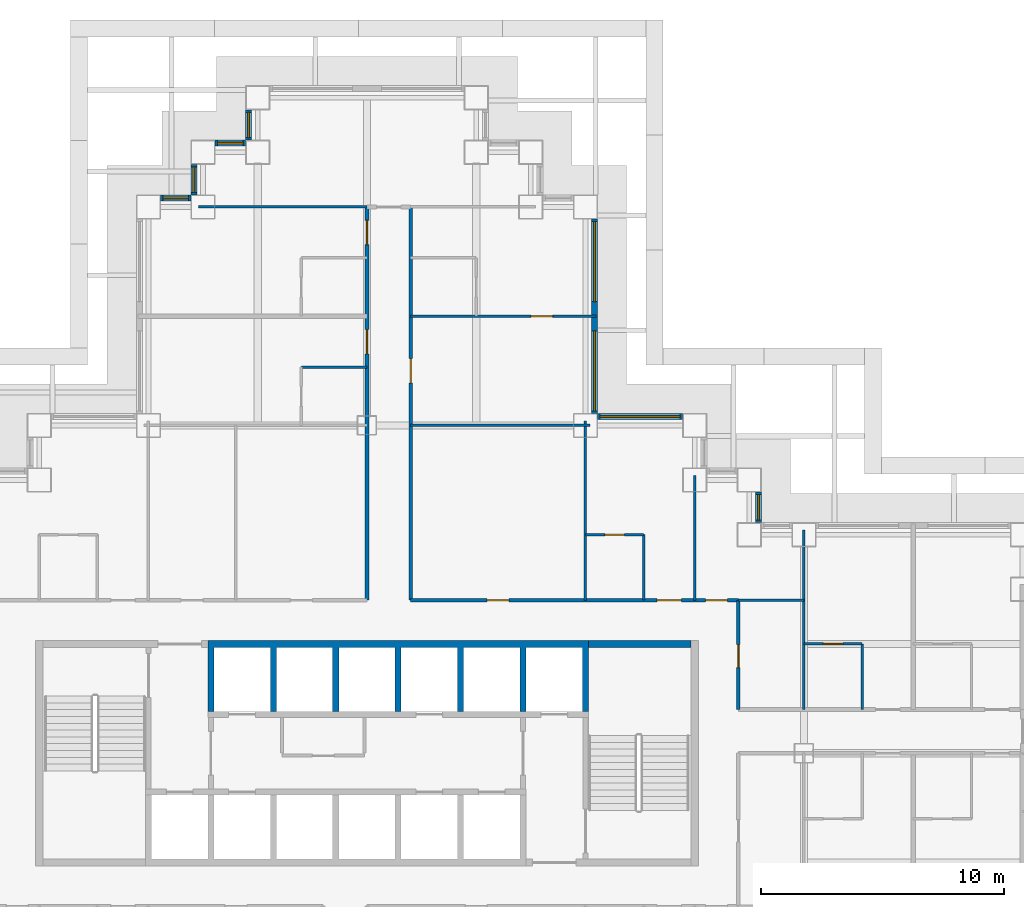
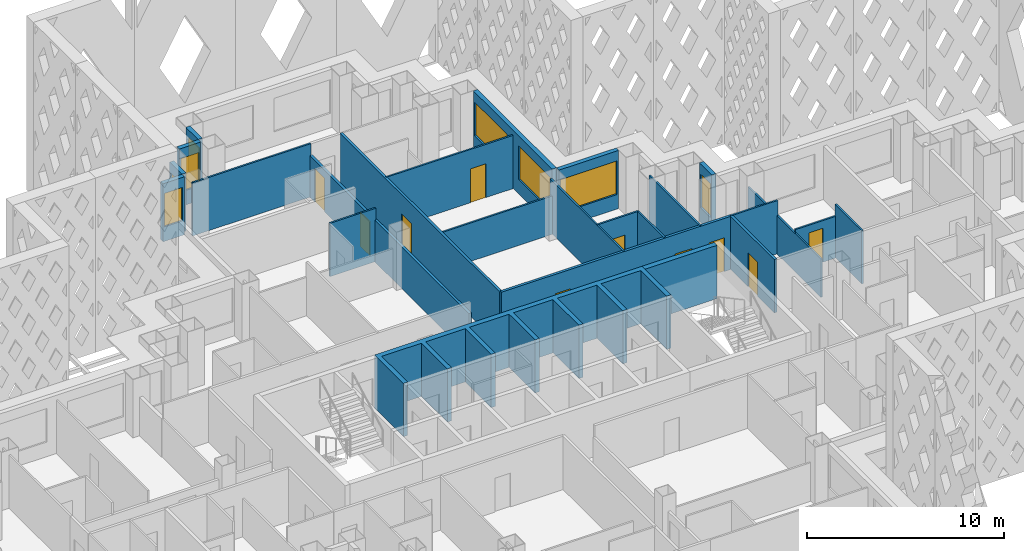
# One storey, part 8 of 19: 25 walls, 10 doors, 8 windows, 18 openings.
"""IFC4 building model written with IfcOpenShell, lengths in metres."""

from ifc_helpers import new_model, si_unit, direction, frame, frame_2d, origin, place, context, subcontext, project, spatial, polyline, rectangle, outline, extrude, material, layer, layer_set, type_object, element, fill, save


model = new_model("IFC4")

# Units and contexts
model_context = context("Model", 3, precision=1e-05, world=origin(), true_north=direction((0.0, 1.0)))
body_context = subcontext(model_context, "Body", "Model", "MODEL_VIEW")
ifc_project = project(units=[si_unit("LENGTHUNIT", "METRE"), si_unit("AREAUNIT", "SQUARE_METRE"), si_unit("VOLUMEUNIT", "CUBIC_METRE"), si_unit("PLANEANGLEUNIT", "RADIAN"), si_unit("MASSUNIT", "GRAM", prefix="KILO")], contexts=[model_context])

# Site, building, storey
site_placement = place(None, origin())
site = spatial("IfcSite", under=ifc_project, at=site_placement, CompositionType="ELEMENT")
building_placement = place(site_placement, origin())
building = spatial("IfcBuilding", under=site, at=building_placement, Name="Caravel Reach Hotel and Residences", CompositionType="ELEMENT")
storey_placement = place(building_placement, frame((0.0, 0.0, 74.39990234375)))
storey = spatial("IfcBuildingStorey", under=building, at=storey_placement, Name="L17", CompositionType="ELEMENT", Elevation=74.39990234375)

# Wall, opening, door
ifc_material_1 = material(Name="Gypsum board on steel stud", Category="steel")
ifc_layer_1 = layer(ifc_material_1, 0.10009765625)
ifc_layer_set_1 = layer_set([ifc_layer_1], Name="Bathroom pod wall 100 mm")
wall_type_1 = type_object("IfcWallType", Name="Bathroom pod wall 100 mm", PredefinedType="PARTITIONING", material=ifc_layer_set_1)
wall_1_placement = place(storey_placement, frame((49.5, 31.5, 0.0), z_axis=(0.0, 0.0, 1.0), x_axis=(1.0, 0.0, 0.0)))
wall_1 = element("IfcWall", 1, at=wall_1_placement, inside=storey, type_object=wall_type_1, Name="L17 wall w093", PredefinedType="PARTITIONING", context=body_context, shape_type="SweptSolid", body=[
    extrude(rectangle(XDim=2.39990234375, YDim=0.10009765625, at=frame_2d((1.199951171875, 0.0))), origin(), (0.0, 0.0, 1.0), 2.580078125),
])
opening_1_placement = place(wall_1_placement, frame((0.800048828125, 0.0, 0.0)))
opening_1 = element("IfcOpeningElement", 2, at=opening_1_placement, cuts=wall_1, Name="Opening D17-027", PredefinedType="OPENING", context=body_context, shape_type="SweptSolid", body=[
    extrude(rectangle(XDim=0.800048828125, YDim=2.10009765625, at=frame_2d((0.39990234375, 1.050048828125))), frame((0.0, 0.06005859375, 0.0), z_axis=(0.0, -1.0, 0.0), x_axis=(1.0, 0.0, 0.0)), (0.0, 0.0, 1.0), 0.1201171875),
])
ifc_material_2 = material(Name="Timber and steel door leaf", Category="steel")
door_type_1 = type_object("IfcDoorType", Name="Bathroom door 800 x 2100", OperationType="SINGLE_SWING_LEFT", PredefinedType="DOOR", material=ifc_material_2)
door_1_placement = place(opening_1_placement, origin())
door_1 = element("IfcDoor", 3, at=door_1_placement, inside=storey, type_object=door_type_1, Name="door D17-027", OperationType="SINGLE_SWING_LEFT", OverallHeight=2.10009765625, OverallWidth=0.800048828125, PredefinedType="DOOR", context=body_context, shape_type="SweptSolid", body=[
    extrude(rectangle(XDim=0.800048828125, YDim=2.10009765625, at=frame_2d((0.39990234375, 1.050048828125))), frame((0.0, 0.02490234375, 0.0), z_axis=(0.0, -1.0, 0.0), x_axis=(1.0, 0.0, 0.0)), (0.0, 0.0, 1.0), 0.050048828125),
])
fill(opening_1, door_1)

wall_2_placement = place(storey_placement, frame((40.5, 36.0, 0.0), z_axis=(0.0, 0.0, 1.0), x_axis=(1.0, 0.0, 0.0)))
wall_2 = element("IfcWall", 4, at=wall_2_placement, inside=storey, type_object=wall_type_1, Name="L17 wall w096", PredefinedType="PARTITIONING", context=body_context, shape_type="SweptSolid", body=[
    extrude(rectangle(XDim=2.39990234375, YDim=0.10009765625, at=frame_2d((1.199951171875, 0.0))), origin(), (0.0, 0.0, 1.0), 3.300048828125),
])
opening_2_placement = place(wall_2_placement, frame((0.800048828125, 0.0, 0.0)))
opening_2 = element("IfcOpeningElement", 5, at=opening_2_placement, cuts=wall_2, Name="Opening D17-049", PredefinedType="OPENING", context=body_context, shape_type="SweptSolid", body=[
    extrude(rectangle(XDim=0.800048828125, YDim=2.10009765625, at=frame_2d((0.39990234375, 1.050048828125))), frame((0.0, 0.06005859375, 0.0), z_axis=(0.0, -1.0, 0.0), x_axis=(1.0, 0.0, 0.0)), (0.0, 0.0, 1.0), 0.1201171875),
])
door_2_placement = place(opening_2_placement, origin())
door_2 = element("IfcDoor", 6, at=door_2_placement, inside=storey, type_object=door_type_1, Name="door D17-049", OperationType="SINGLE_SWING_RIGHT", OverallHeight=2.10009765625, OverallWidth=0.800048828125, PredefinedType="DOOR", context=body_context, shape_type="SweptSolid", body=[
    extrude(rectangle(XDim=0.800048828125, YDim=2.10009765625, at=frame_2d((0.39990234375, 1.050048828125))), frame((0.0, 0.02490234375, 0.0), z_axis=(0.0, -1.0, 0.0), x_axis=(1.0, 0.0, 0.0)), (0.0, 0.0, 1.0), 0.050048828125),
])
fill(opening_2, door_2)

# Walls
for number, where, z_axis, x_axis, name in (
    (7, (28.800048828125, 42.89990234375, 0.0), (0.0, 0.0, 1.0), (1.0, 0.0, 0.0), "L17 wall w097"),
    (8, (42.89990234375, 33.300048828125, 0.0), (0.0, 0.0, 1.0), (0.0, 1.0, 0.0), "L17 wall w109"),
    (9, (51.89990234375, 28.800048828125, 0.0), (0.0, 0.0, 1.0), (0.0, 1.0, 0.0), "L17 wall w111"),
):
    element("IfcWall", number, at=place(storey_placement, frame(where, z_axis=z_axis, x_axis=x_axis)), inside=storey, type_object=wall_type_1, Name=name, PredefinedType="PARTITIONING", context=body_context, shape_type="SweptSolid", body=[
        extrude(rectangle(XDim=2.699951171875, YDim=0.10009765625, at=frame_2d((1.35009765625, 0.0))), origin(), (0.0, 0.0, 1.0), 3.300048828125),
    ])
ifc_material_3 = material(Name="Concrete C60", Category="concrete")
ifc_layer_2 = layer(ifc_material_3, 0.300048828125)
ifc_layer_set_2 = layer_set([ifc_layer_2], Name="Core wall 300 mm EI 120")
wall_type_2 = type_object("IfcWallType", Name="Core wall 300 mm EI 120", PredefinedType="SHEAR", material=ifc_layer_set_2)
wall_3_placement = place(storey_placement, frame((40.625, 31.5, 0.0), z_axis=(0.0, 0.0, 1.0), x_axis=(1.0, 0.0, 0.0)))
element("IfcWall", 10, at=wall_3_placement, inside=storey, type_object=wall_type_2, Name="L17 core wall N2", PredefinedType="SHEAR", context=body_context, shape_type="SweptSolid", body=[
    extrude(rectangle(XDim=4.22509765625, YDim=0.300048828125, at=frame_2d((2.112548828125, 0.0))), origin(), (0.0, 0.0, 1.0), 3.300048828125),
])

# Wall, openings, doors
ifc_material_4 = material(Name="Gypsum board on steel stud, fire-rated", Category="steel")
ifc_layer_3 = layer(ifc_material_4, 0.14990234375)
ifc_layer_set_3 = layer_set([ifc_layer_3], Name="Corridor wall 150 mm EI 60")
wall_type_3 = type_object("IfcWallType", Name="Corridor wall 150 mm EI 60", PredefinedType="PARTITIONING", material=ifc_layer_set_3)
wall_4_placement = place(storey_placement, frame((33.300048828125, 33.300048828125, 0.0), z_axis=(0.0, 0.0, 1.0), x_axis=(1.0, 0.0, 0.0)))
wall_4 = element("IfcWall", 11, at=wall_4_placement, inside=storey, type_object=wall_type_3, Name="L17 wall w023", PredefinedType="PARTITIONING", context=body_context, shape_type="SweptSolid", body=[
    extrude(rectangle(XDim=13.5, YDim=0.14990234375, at=frame_2d((6.75, 0.0))), origin(), (0.0, 0.0, 1.0), 3.300048828125),
])
opening_3_placement = place(wall_4_placement, frame((10.14990234375, 0.0, 0.0)))
opening_3 = element("IfcOpeningElement", 12, at=opening_3_placement, cuts=wall_4, Name="Opening D17-048", PredefinedType="OPENING", context=body_context, shape_type="SweptSolid", body=[
    extrude(rectangle(XDim=1.0, YDim=2.10009765625, at=frame_2d((0.5, 1.050048828125))), frame((0.0, 0.0849609375, 0.0), z_axis=(0.0, -1.0, 0.0), x_axis=(1.0, 0.0, 0.0)), (0.0, 0.0, 1.0), 0.169921875),
])
opening_4_placement = place(wall_4_placement, frame((12.14990234375, 0.0, 0.0)))
opening_4 = element("IfcOpeningElement", 13, at=opening_4_placement, cuts=wall_4, Name="Opening D17-050", PredefinedType="OPENING", context=body_context, shape_type="SweptSolid", body=[
    extrude(rectangle(XDim=0.89990234375, YDim=2.10009765625, at=frame_2d((0.449951171875, 1.050048828125))), frame((0.0, 0.0849609375, 0.0), z_axis=(0.0, -1.0, 0.0), x_axis=(1.0, 0.0, 0.0)), (0.0, 0.0, 1.0), 0.169921875),
])
opening_5_placement = place(wall_4_placement, frame((3.14990234375, 0.0, 0.0)))
opening_5 = element("IfcOpeningElement", 14, at=opening_5_placement, cuts=wall_4, Name="Opening D17-059", PredefinedType="OPENING", context=body_context, shape_type="SweptSolid", body=[
    extrude(rectangle(XDim=0.89990234375, YDim=2.10009765625, at=frame_2d((0.449951171875, 1.050048828125))), frame((0.0, 0.0849609375, 0.0), z_axis=(0.0, -1.0, 0.0), x_axis=(1.0, 0.0, 0.0)), (0.0, 0.0, 1.0), 0.169921875),
])
ifc_material_5 = material(Name="Timber and steel door leaf", Category="steel")
door_type_2 = type_object("IfcDoorType", Name="Door 900 x 2100 timber", OperationType="SINGLE_SWING_LEFT", PredefinedType="DOOR", material=ifc_material_5)
door_3_placement = place(opening_4_placement, origin())
door_3 = element("IfcDoor", 15, at=door_3_placement, inside=storey, type_object=door_type_2, Name="door D17-050", OperationType="SINGLE_SWING_RIGHT", OverallHeight=2.10009765625, OverallWidth=0.89990234375, PredefinedType="DOOR", context=body_context, shape_type="SweptSolid", body=[
    extrude(rectangle(XDim=0.89990234375, YDim=2.10009765625, at=frame_2d((0.449951171875, 1.050048828125))), frame((0.0, 0.02490234375, 0.0), z_axis=(0.0, -1.0, 0.0), x_axis=(1.0, 0.0, 0.0)), (0.0, 0.0, 1.0), 0.050048828125),
])
fill(opening_4, door_3)
door_4_placement = place(opening_5_placement, origin())
door_4 = element("IfcDoor", 16, at=door_4_placement, inside=storey, type_object=door_type_2, Name="door D17-059", OperationType="SINGLE_SWING_RIGHT", OverallHeight=2.10009765625, OverallWidth=0.89990234375, PredefinedType="DOOR", context=body_context, shape_type="SweptSolid", body=[
    extrude(rectangle(XDim=0.89990234375, YDim=2.10009765625, at=frame_2d((0.449951171875, 1.050048828125))), frame((0.0, 0.02490234375, 0.0), z_axis=(0.0, -1.0, 0.0), x_axis=(1.0, 0.0, 0.0)), (0.0, 0.0, 1.0), 0.050048828125),
])
fill(opening_5, door_4)
ifc_material_6 = material(Name="Steel fire door leaf", Category="steel")
door_type_3 = type_object("IfcDoorType", Name="Guest room door 1000 x 2100 EI 30", OperationType="SINGLE_SWING_LEFT", PredefinedType="DOOR", material=ifc_material_6)
door_5_placement = place(opening_3_placement, origin())
door_5 = element("IfcDoor", 17, at=door_5_placement, inside=storey, type_object=door_type_3, Name="door D17-048", OperationType="SINGLE_SWING_RIGHT", OverallHeight=2.10009765625, OverallWidth=1.0, PredefinedType="DOOR", context=body_context, shape_type="SweptSolid", body=[
    extrude(rectangle(XDim=1.0, YDim=2.10009765625, at=frame_2d((0.5, 1.050048828125))), frame((0.0, 0.02490234375, 0.0), z_axis=(0.0, -1.0, 0.0), x_axis=(1.0, 0.0, 0.0)), (0.0, 0.0, 1.0), 0.050048828125),
])
fill(opening_3, door_5)

wall_5_placement = place(storey_placement, frame((31.5, 33.300048828125, 0.0), z_axis=(0.0, 0.0, 1.0), x_axis=(0.0, 1.0, 0.0)))
wall_5 = element("IfcWall", 18, at=wall_5_placement, inside=storey, type_object=wall_type_3, Name="L17 wall w034", PredefinedType="PARTITIONING", context=body_context, shape_type="SweptSolid", body=[
    extrude(rectangle(XDim=16.199951171875, YDim=0.14990234375, at=frame_2d((8.10009765625, 0.0))), origin(), (0.0, 0.0, 1.0), 2.580078125),
])
opening_6_placement = place(wall_5_placement, frame((10.14990234375, 0.0, 0.0)))
opening_6 = element("IfcOpeningElement", 19, at=opening_6_placement, cuts=wall_5, Name="Opening D17-030", PredefinedType="OPENING", context=body_context, shape_type="SweptSolid", body=[
    extrude(rectangle(XDim=1.0, YDim=2.10009765625, at=frame_2d((0.5, 1.050048828125))), frame((0.0, 0.0849609375, 0.0), z_axis=(0.0, -1.0, 0.0), x_axis=(1.0, 0.0, 0.0)), (0.0, 0.0, 1.0), 0.169921875),
])
opening_7_placement = place(wall_5_placement, frame((14.64990234375, 0.0, 0.0)))
opening_7 = element("IfcOpeningElement", 20, at=opening_7_placement, cuts=wall_5, Name="Opening D17-032", PredefinedType="OPENING", context=body_context, shape_type="SweptSolid", body=[
    extrude(rectangle(XDim=1.0, YDim=2.10009765625, at=frame_2d((0.5, 1.050048828125))), frame((0.0, 0.0849609375, 0.0), z_axis=(0.0, -1.0, 0.0), x_axis=(1.0, 0.0, 0.0)), (0.0, 0.0, 1.0), 0.169921875),
])
door_6_placement = place(opening_6_placement, origin())
door_6 = element("IfcDoor", 21, at=door_6_placement, inside=storey, type_object=door_type_3, Name="door D17-030", OperationType="SINGLE_SWING_RIGHT", OverallHeight=2.10009765625, OverallWidth=1.0, PredefinedType="DOOR", context=body_context, shape_type="SweptSolid", body=[
    extrude(rectangle(XDim=1.0, YDim=2.10009765625, at=frame_2d((0.5, 1.050048828125))), frame((0.0, 0.02490234375, 0.0), z_axis=(0.0, -1.0, 0.0), x_axis=(1.0, 0.0, 0.0)), (0.0, 0.0, 1.0), 0.050048828125),
])
fill(opening_6, door_6)
door_7_placement = place(opening_7_placement, origin())
door_7 = element("IfcDoor", 22, at=door_7_placement, inside=storey, type_object=door_type_3, Name="door D17-032", OperationType="SINGLE_SWING_RIGHT", OverallHeight=2.10009765625, OverallWidth=1.0, PredefinedType="DOOR", context=body_context, shape_type="SweptSolid", body=[
    extrude(rectangle(XDim=1.0, YDim=2.10009765625, at=frame_2d((0.5, 1.050048828125))), frame((0.0, 0.02490234375, 0.0), z_axis=(0.0, -1.0, 0.0), x_axis=(1.0, 0.0, 0.0)), (0.0, 0.0, 1.0), 0.050048828125),
])
fill(opening_7, door_7)

# Wall, opening, door
wall_6_placement = place(storey_placement, frame((33.300048828125, 33.300048828125, 0.0), z_axis=(0.0, 0.0, 1.0), x_axis=(0.0, 1.0, 0.0)))
wall_6 = element("IfcWall", 23, at=wall_6_placement, inside=storey, type_object=wall_type_3, Name="L17 wall w036", PredefinedType="PARTITIONING", context=body_context, shape_type="SweptSolid", body=[
    extrude(rectangle(XDim=16.199951171875, YDim=0.14990234375, at=frame_2d((8.10009765625, 0.0))), origin(), (0.0, 0.0, 1.0), 3.300048828125),
])
opening_8_placement = place(wall_6_placement, frame((8.949951171875, 0.0, 0.0)))
opening_8 = element("IfcOpeningElement", 24, at=opening_8_placement, cuts=wall_6, Name="Opening D17-034", PredefinedType="OPENING", context=body_context, shape_type="SweptSolid", body=[
    extrude(rectangle(XDim=1.0, YDim=2.10009765625, at=frame_2d((0.5, 1.050048828125))), frame((0.0, 0.0849609375, 0.0), z_axis=(0.0, -1.0, 0.0), x_axis=(1.0, 0.0, 0.0)), (0.0, 0.0, 1.0), 0.169921875),
])
door_8_placement = place(opening_8_placement, origin())
door_8 = element("IfcDoor", 25, at=door_8_placement, inside=storey, type_object=door_type_3, Name="door D17-034", OperationType="SINGLE_SWING_RIGHT", OverallHeight=2.10009765625, OverallWidth=1.0, PredefinedType="DOOR", context=body_context, shape_type="SweptSolid", body=[
    extrude(rectangle(XDim=1.0, YDim=2.10009765625, at=frame_2d((0.5, 1.050048828125))), frame((0.0, 0.02490234375, 0.0), z_axis=(0.0, -1.0, 0.0), x_axis=(1.0, 0.0, 0.0)), (0.0, 0.0, 1.0), 0.050048828125),
])
fill(opening_8, door_8)

wall_7_placement = place(storey_placement, frame((46.800048828125, 28.800048828125, 0.0), z_axis=(0.0, 0.0, 1.0), x_axis=(0.0, 1.0, 0.0)))
wall_7 = element("IfcWall", 26, at=wall_7_placement, inside=storey, type_object=wall_type_3, Name="L17 wall w040", PredefinedType="PARTITIONING", context=body_context, shape_type="SweptSolid", body=[
    extrude(rectangle(XDim=4.5, YDim=0.14990234375, at=frame_2d((2.25, 0.0))), origin(), (0.0, 0.0, 1.0), 3.300048828125),
])
opening_9_placement = place(wall_7_placement, frame((1.72509765625, 0.0, 0.0)))
opening_9 = element("IfcOpeningElement", 27, at=opening_9_placement, cuts=wall_7, Name="Opening D17-065", PredefinedType="OPENING", context=body_context, shape_type="SweptSolid", body=[
    extrude(rectangle(XDim=0.949951171875, YDim=2.10009765625, at=frame_2d((0.47509765625, 1.050048828125))), frame((0.0, 0.0849609375, 0.0), z_axis=(0.0, -1.0, 0.0), x_axis=(1.0, 0.0, 0.0)), (0.0, 0.0, 1.0), 0.169921875),
])
ifc_material_7 = material(Name="Timber and steel door leaf", Category="steel")
door_type_4 = type_object("IfcDoorType", Name="Accessible WC door 950 x 2100", OperationType="SINGLE_SWING_LEFT", PredefinedType="DOOR", material=ifc_material_7)
door_9_placement = place(opening_9_placement, origin())
door_9 = element("IfcDoor", 28, at=door_9_placement, inside=storey, type_object=door_type_4, Name="door D17-065", OperationType="SINGLE_SWING_RIGHT", OverallHeight=2.10009765625, OverallWidth=0.949951171875, PredefinedType="DOOR", context=body_context, shape_type="SweptSolid", body=[
    extrude(rectangle(XDim=0.949951171875, YDim=2.10009765625, at=frame_2d((0.47509765625, 1.050048828125))), frame((0.0, 0.02490234375, 0.0), z_axis=(0.0, -1.0, 0.0), x_axis=(1.0, 0.0, 0.0)), (0.0, 0.0, 1.0), 0.050048828125),
])
fill(opening_9, door_9)

# Wall, opening, window
ifc_material_8 = material(Name="Insulated rainscreen wall, aluminium cladding", Category="aluminium")
ifc_layer_4 = layer(ifc_material_8, 0.25)
ifc_layer_set_4 = layer_set([ifc_layer_4], Name="EW1 Tower rainscreen wall")
wall_type_4 = type_object("IfcWallType", Name="EW1 Tower rainscreen wall", PredefinedType="SOLIDWALL", material=ifc_layer_set_4)
wall_8_placement = place(storey_placement, frame((47.625, 36.5, 0.0), z_axis=(0.0, 0.0, 1.0), x_axis=(0.0, 1.0, 0.0)))
wall_8 = element("IfcWall", 29, at=wall_8_placement, inside=storey, type_object=wall_type_4, Name="External wall L17 E26.1", PredefinedType="SOLIDWALL", context=body_context, shape_type="SweptSolid", body=[
    extrude(rectangle(XDim=1.25, YDim=0.25, at=frame_2d((0.625, 0.0))), origin(), (0.0, 0.0, 1.0), 3.60009765625),
])
opening_10_placement = place(wall_8_placement, frame((0.10009765625, 0.0, 0.89990234375)))
opening_10 = element("IfcOpeningElement", 30, at=opening_10_placement, cuts=wall_8, Name="Opening WN3", PredefinedType="OPENING", context=body_context, shape_type="SweptSolid", body=[
    extrude(rectangle(XDim=1.050048828125, YDim=2.080078125, at=frame_2d((0.52490234375, 1.0400390625))), frame((0.0, 0.135009765625, 0.0), z_axis=(0.0, -1.0, 0.0), x_axis=(1.0, 0.0, 0.0)), (0.0, 0.0, 1.0), 0.27001953125),
])
ifc_material_9 = material(Name="Dark low-e glazing in black aluminium frame", Category="aluminium")
window_type_1 = type_object("IfcWindowType", Name="Hotel suite corner window 1050 x 2080", PartitioningType="SINGLE_PANEL", PredefinedType="WINDOW", material=ifc_material_9)
window_1_placement = place(opening_10_placement, origin())
window_1 = element("IfcWindow", 31, at=window_1_placement, inside=storey, type_object=window_type_1, Name="Window L17 E26.1.1", OverallHeight=2.080078125, OverallWidth=1.050048828125, PartitioningType="SINGLE_PANEL", PredefinedType="WINDOW", context=body_context, shape_type="SweptSolid", body=[
    extrude(rectangle(XDim=1.050048828125, YDim=2.080078125, at=frame_2d((0.52490234375, 1.0400390625))), frame((0.0, 0.030029296875, 0.0), z_axis=(0.0, -1.0, 0.0), x_axis=(1.0, 0.0, 0.0)), (0.0, 0.0, 1.0), 0.06005859375),
])
fill(opening_10, window_1)

wall_9_placement = place(storey_placement, frame((44.5, 40.875, 0.0), z_axis=(0.0, 0.0, 1.0), x_axis=(-1.0, 0.0, 0.0)))
wall_9 = element("IfcWall", 32, at=wall_9_placement, inside=storey, type_object=wall_type_4, Name="External wall L17 N29.1", PredefinedType="SOLIDWALL", context=body_context, shape_type="SweptSolid", body=[
    extrude(rectangle(XDim=3.5, YDim=0.25, at=frame_2d((1.75, 0.0))), origin(), (0.0, 0.0, 1.0), 3.60009765625),
])
opening_11_placement = place(wall_9_placement, frame((0.10009765625, 0.0, 0.89990234375)))
opening_11 = element("IfcOpeningElement", 33, at=opening_11_placement, cuts=wall_9, Name="Opening WN4", PredefinedType="OPENING", context=body_context, shape_type="SweptSolid", body=[
    extrude(rectangle(XDim=3.300048828125, YDim=2.080078125, at=frame_2d((1.64990234375, 1.0400390625))), frame((0.0, 0.135009765625, 0.0), z_axis=(0.0, -1.0, 0.0), x_axis=(1.0, 0.0, 0.0)), (0.0, 0.0, 1.0), 0.27001953125),
])
ifc_material_10 = material(Name="Dark low-e glazing in black aluminium frame", Category="aluminium")
window_type_2 = type_object("IfcWindowType", Name="Hotel guest room window 3300 x 2080", PartitioningType="SINGLE_PANEL", PredefinedType="WINDOW", material=ifc_material_10)
window_2_placement = place(opening_11_placement, origin())
window_2 = element("IfcWindow", 34, at=window_2_placement, inside=storey, type_object=window_type_2, Name="Window L17 N29.1.1", OverallHeight=2.080078125, OverallWidth=3.300048828125, PartitioningType="SINGLE_PANEL", PredefinedType="WINDOW", context=body_context, shape_type="SweptSolid", body=[
    extrude(rectangle(XDim=3.300048828125, YDim=2.080078125, at=frame_2d((1.64990234375, 1.0400390625))), frame((0.0, 0.030029296875, 0.0), z_axis=(0.0, -1.0, 0.0), x_axis=(1.0, 0.0, 0.0)), (0.0, 0.0, 1.0), 0.06005859375),
])
fill(opening_11, window_2)

# Wall, openings, windows
wall_10_placement = place(storey_placement, frame((40.875, 41.0, 0.0), z_axis=(0.0, 0.0, 1.0), x_axis=(0.0, 1.0, 0.0)))
wall_10 = element("IfcWall", 35, at=wall_10_placement, inside=storey, type_object=wall_type_4, Name="External wall L17 E30.1", PredefinedType="SOLIDWALL", context=body_context, shape_type="SweptSolid", body=[
    extrude(rectangle(XDim=8.0, YDim=0.25, at=frame_2d((4.0, 0.0))), origin(), (0.0, 0.0, 1.0), 3.60009765625),
])
opening_12_placement = place(wall_10_placement, frame((0.10009765625, 0.0, 0.89990234375)))
opening_12 = element("IfcOpeningElement", 36, at=opening_12_placement, cuts=wall_10, Name="Opening WN4", PredefinedType="OPENING", context=body_context, shape_type="SweptSolid", body=[
    extrude(rectangle(XDim=3.300048828125, YDim=2.080078125, at=frame_2d((1.64990234375, 1.0400390625))), frame((0.0, 0.135009765625, 0.0), z_axis=(0.0, -1.0, 0.0), x_axis=(1.0, 0.0, 0.0)), (0.0, 0.0, 1.0), 0.27001953125),
])
opening_13_placement = place(wall_10_placement, frame((4.60009765625, 0.0, 0.89990234375)))
opening_13 = element("IfcOpeningElement", 37, at=opening_13_placement, cuts=wall_10, Name="Opening WN4", PredefinedType="OPENING", context=body_context, shape_type="SweptSolid", body=[
    extrude(rectangle(XDim=3.300048828125, YDim=2.080078125, at=frame_2d((1.64990234375, 1.0400390625))), frame((0.0, 0.135009765625, 0.0), z_axis=(0.0, -1.0, 0.0), x_axis=(1.0, 0.0, 0.0)), (0.0, 0.0, 1.0), 0.27001953125),
])
window_3_placement = place(opening_12_placement, origin())
window_3 = element("IfcWindow", 38, at=window_3_placement, inside=storey, type_object=window_type_2, Name="Window L17 E30.1.1", OverallHeight=2.080078125, OverallWidth=3.300048828125, PartitioningType="SINGLE_PANEL", PredefinedType="WINDOW", context=body_context, shape_type="SweptSolid", body=[
    extrude(rectangle(XDim=3.300048828125, YDim=2.080078125, at=frame_2d((1.64990234375, 1.0400390625))), frame((0.0, 0.030029296875, 0.0), z_axis=(0.0, -1.0, 0.0), x_axis=(1.0, 0.0, 0.0)), (0.0, 0.0, 1.0), 0.06005859375),
])
fill(opening_12, window_3)
window_4_placement = place(opening_13_placement, origin())
window_4 = element("IfcWindow", 39, at=window_4_placement, inside=storey, type_object=window_type_2, Name="Window L17 E30.1.2", OverallHeight=2.080078125, OverallWidth=3.300048828125, PartitioningType="SINGLE_PANEL", PredefinedType="WINDOW", context=body_context, shape_type="SweptSolid", body=[
    extrude(rectangle(XDim=3.300048828125, YDim=2.080078125, at=frame_2d((1.64990234375, 1.0400390625))), frame((0.0, 0.030029296875, 0.0), z_axis=(0.0, -1.0, 0.0), x_axis=(1.0, 0.0, 0.0)), (0.0, 0.0, 1.0), 0.06005859375),
])
fill(opening_13, window_4)

# Wall, opening, window
wall_11_placement = place(storey_placement, frame((26.625, 53.5, 0.0), z_axis=(0.0, 0.0, 1.0), x_axis=(0.0, -1.0, 0.0)))
wall_11 = element("IfcWall", 40, at=wall_11_placement, inside=storey, type_object=wall_type_4, Name="External wall L17 W36.1", PredefinedType="SOLIDWALL", context=body_context, shape_type="SweptSolid", body=[
    extrude(rectangle(XDim=1.25, YDim=0.25, at=frame_2d((0.625, 0.0))), origin(), (0.0, 0.0, 1.0), 3.60009765625),
])
opening_14_placement = place(wall_11_placement, frame((0.10009765625, 0.0, 0.89990234375)))
opening_14 = element("IfcOpeningElement", 41, at=opening_14_placement, cuts=wall_11, Name="Opening WN3", PredefinedType="OPENING", context=body_context, shape_type="SweptSolid", body=[
    extrude(rectangle(XDim=1.050048828125, YDim=2.080078125, at=frame_2d((0.52490234375, 1.0400390625))), frame((0.0, 0.135009765625, 0.0), z_axis=(0.0, -1.0, 0.0), x_axis=(1.0, 0.0, 0.0)), (0.0, 0.0, 1.0), 0.27001953125),
])
window_5_placement = place(opening_14_placement, origin())
window_5 = element("IfcWindow", 42, at=window_5_placement, inside=storey, type_object=window_type_1, Name="Window L17 W36.1.1", OverallHeight=2.080078125, OverallWidth=1.050048828125, PartitioningType="SINGLE_PANEL", PredefinedType="WINDOW", context=body_context, shape_type="SweptSolid", body=[
    extrude(rectangle(XDim=1.050048828125, YDim=2.080078125, at=frame_2d((0.52490234375, 1.0400390625))), frame((0.0, 0.030029296875, 0.0), z_axis=(0.0, -1.0, 0.0), x_axis=(1.0, 0.0, 0.0)), (0.0, 0.0, 1.0), 0.06005859375),
])
fill(opening_14, window_5)

wall_12_placement = place(storey_placement, frame((26.5, 52.125, 0.0), z_axis=(0.0, 0.0, 1.0), x_axis=(-1.0, 0.0, 0.0)))
wall_12 = element("IfcWall", 43, at=wall_12_placement, inside=storey, type_object=wall_type_4, Name="External wall L17 N37.1", PredefinedType="SOLIDWALL", context=body_context, shape_type="SweptSolid", body=[
    extrude(rectangle(XDim=1.25, YDim=0.25, at=frame_2d((0.625, 0.0))), origin(), (0.0, 0.0, 1.0), 3.60009765625),
])
opening_15_placement = place(wall_12_placement, frame((0.10009765625, 0.0, 0.89990234375)))
opening_15 = element("IfcOpeningElement", 44, at=opening_15_placement, cuts=wall_12, Name="Opening WN3", PredefinedType="OPENING", context=body_context, shape_type="SweptSolid", body=[
    extrude(rectangle(XDim=1.050048828125, YDim=2.080078125, at=frame_2d((0.52490234375, 1.0400390625))), frame((0.0, 0.135009765625, 0.0), z_axis=(0.0, -1.0, 0.0), x_axis=(1.0, 0.0, 0.0)), (0.0, 0.0, 1.0), 0.27001953125),
])
window_6_placement = place(opening_15_placement, origin())
window_6 = element("IfcWindow", 45, at=window_6_placement, inside=storey, type_object=window_type_1, Name="Window L17 N37.1.1", OverallHeight=2.080078125, OverallWidth=1.050048828125, PartitioningType="SINGLE_PANEL", PredefinedType="WINDOW", context=body_context, shape_type="SweptSolid", body=[
    extrude(rectangle(XDim=1.050048828125, YDim=2.080078125, at=frame_2d((0.52490234375, 1.0400390625))), frame((0.0, 0.030029296875, 0.0), z_axis=(0.0, -1.0, 0.0), x_axis=(1.0, 0.0, 0.0)), (0.0, 0.0, 1.0), 0.06005859375),
])
fill(opening_15, window_6)

wall_13_placement = place(storey_placement, frame((24.375, 51.25, 0.0), z_axis=(0.0, 0.0, 1.0), x_axis=(0.0, -1.0, 0.0)))
wall_13 = element("IfcWall", 46, at=wall_13_placement, inside=storey, type_object=wall_type_4, Name="External wall L17 W38.1", PredefinedType="SOLIDWALL", context=body_context, shape_type="SweptSolid", body=[
    extrude(rectangle(XDim=1.25, YDim=0.25, at=frame_2d((0.625, 0.0))), origin(), (0.0, 0.0, 1.0), 3.60009765625),
])
opening_16_placement = place(wall_13_placement, frame((0.10009765625, 0.0, 0.89990234375)))
opening_16 = element("IfcOpeningElement", 47, at=opening_16_placement, cuts=wall_13, Name="Opening WN3", PredefinedType="OPENING", context=body_context, shape_type="SweptSolid", body=[
    extrude(rectangle(XDim=1.050048828125, YDim=2.080078125, at=frame_2d((0.52490234375, 1.0400390625))), frame((0.0, 0.135009765625, 0.0), z_axis=(0.0, -1.0, 0.0), x_axis=(1.0, 0.0, 0.0)), (0.0, 0.0, 1.0), 0.27001953125),
])
window_7_placement = place(opening_16_placement, origin())
window_7 = element("IfcWindow", 48, at=window_7_placement, inside=storey, type_object=window_type_1, Name="Window L17 W38.1.1", OverallHeight=2.080078125, OverallWidth=1.050048828125, PartitioningType="SINGLE_PANEL", PredefinedType="WINDOW", context=body_context, shape_type="SweptSolid", body=[
    extrude(rectangle(XDim=1.050048828125, YDim=2.080078125, at=frame_2d((0.52490234375, 1.0400390625))), frame((0.0, 0.030029296875, 0.0), z_axis=(0.0, -1.0, 0.0), x_axis=(1.0, 0.0, 0.0)), (0.0, 0.0, 1.0), 0.06005859375),
])
fill(opening_16, window_7)

wall_14_placement = place(storey_placement, frame((24.25, 49.875, 0.0), z_axis=(0.0, 0.0, 1.0), x_axis=(-1.0, 0.0, 0.0)))
wall_14 = element("IfcWall", 49, at=wall_14_placement, inside=storey, type_object=wall_type_4, Name="External wall L17 N39.1", PredefinedType="SOLIDWALL", context=body_context, shape_type="SweptSolid", body=[
    extrude(rectangle(XDim=1.25, YDim=0.25, at=frame_2d((0.625, 0.0))), origin(), (0.0, 0.0, 1.0), 3.60009765625),
])
opening_17_placement = place(wall_14_placement, frame((0.10009765625, 0.0, 0.89990234375)))
opening_17 = element("IfcOpeningElement", 50, at=opening_17_placement, cuts=wall_14, Name="Opening WN3", PredefinedType="OPENING", context=body_context, shape_type="SweptSolid", body=[
    extrude(rectangle(XDim=1.050048828125, YDim=2.080078125, at=frame_2d((0.52490234375, 1.0400390625))), frame((0.0, 0.135009765625, 0.0), z_axis=(0.0, -1.0, 0.0), x_axis=(1.0, 0.0, 0.0)), (0.0, 0.0, 1.0), 0.27001953125),
])
window_8_placement = place(opening_17_placement, origin())
window_8 = element("IfcWindow", 51, at=window_8_placement, inside=storey, type_object=window_type_1, Name="Window L17 N39.1.1", OverallHeight=2.080078125, OverallWidth=1.050048828125, PartitioningType="SINGLE_PANEL", PredefinedType="WINDOW", context=body_context, shape_type="SweptSolid", body=[
    extrude(rectangle(XDim=1.050048828125, YDim=2.080078125, at=frame_2d((0.52490234375, 1.0400390625))), frame((0.0, 0.030029296875, 0.0), z_axis=(0.0, -1.0, 0.0), x_axis=(1.0, 0.0, 0.0)), (0.0, 0.0, 1.0), 0.06005859375),
])
fill(opening_17, window_8)

# Walls
ifc_material_11 = material(Name="Gypsum board on steel stud", Category="steel")
ifc_layer_5 = layer(ifc_material_11, 0.10009765625)
ifc_layer_set_5 = layer_set([ifc_layer_5], Name="Partition 100 mm")
wall_type_5 = type_object("IfcWallType", Name="Partition 100 mm", PredefinedType="PARTITIONING", material=ifc_layer_set_5)
wall_15_placement = place(storey_placement, frame((46.800048828125, 33.300048828125, 0.0), z_axis=(0.0, 0.0, 1.0), x_axis=(1.0, 0.0, 0.0)))
element("IfcWall", 52, at=wall_15_placement, inside=storey, type_object=wall_type_5, Name="L17 wall w048", PredefinedType="PARTITIONING", context=body_context, shape_type="SweptSolid", body=[
    extrude(rectangle(XDim=2.699951171875, YDim=0.10009765625, at=frame_2d((1.35009765625, 0.0))), origin(), (0.0, 0.0, 1.0), 3.300048828125),
])
wall_16_placement = place(storey_placement, frame((33.300048828125, 40.5, 0.0), z_axis=(0.0, 0.0, 1.0), x_axis=(1.0, 0.0, 0.0)))
element("IfcWall", 53, at=wall_16_placement, inside=storey, type_object=wall_type_5, Name="L17 wall w051", PredefinedType="PARTITIONING", context=body_context, shape_type="SweptSolid", body=[
    extrude(rectangle(XDim=7.389892578125, YDim=0.10009765625, at=frame_2d((3.69482421875, 0.0))), origin(), (0.0, 0.0, 1.0), 2.380126953125),
])

# Wall, opening, door
wall_17_placement = place(storey_placement, frame((33.300048828125, 45.0, 0.0), z_axis=(0.0, 0.0, 1.0), x_axis=(1.0, 0.0, 0.0)))
wall_17 = element("IfcWall", 54, at=wall_17_placement, inside=storey, type_object=wall_type_5, Name="L17 wall w052", PredefinedType="PARTITIONING", context=body_context, shape_type="SweptSolid", body=[
    extrude(rectangle(XDim=7.639892578125, YDim=0.10009765625, at=frame_2d((3.81982421875, 0.0))), origin(), (0.0, 0.0, 1.0), 3.300048828125),
])
opening_18_placement = place(wall_17_placement, frame((4.949951171875, 0.0, 0.0)))
opening_18 = element("IfcOpeningElement", 55, at=opening_18_placement, cuts=wall_17, Name="Opening D17-035", PredefinedType="OPENING", context=body_context, shape_type="SweptSolid", body=[
    extrude(rectangle(XDim=0.89990234375, YDim=2.10009765625, at=frame_2d((0.449951171875, 1.050048828125))), frame((0.0, 0.06005859375, 0.0), z_axis=(0.0, -1.0, 0.0), x_axis=(1.0, 0.0, 0.0)), (0.0, 0.0, 1.0), 0.1201171875),
])
door_10_placement = place(opening_18_placement, origin())
door_10 = element("IfcDoor", 56, at=door_10_placement, inside=storey, type_object=door_type_2, Name="door D17-035", OperationType="SINGLE_SWING_RIGHT", OverallHeight=2.10009765625, OverallWidth=0.89990234375, PredefinedType="DOOR", context=body_context, shape_type="SweptSolid", body=[
    extrude(rectangle(XDim=0.89990234375, YDim=2.10009765625, at=frame_2d((0.449951171875, 1.050048828125))), frame((0.0, 0.02490234375, 0.0), z_axis=(0.0, -1.0, 0.0), x_axis=(1.0, 0.0, 0.0)), (0.0, 0.0, 1.0), 0.050048828125),
])
fill(opening_18, door_10)

# Walls
wall_18_placement = place(storey_placement, frame((24.56005859375, 49.5, 0.0), z_axis=(0.0, 0.0, 1.0), x_axis=(1.0, 0.0, 0.0)))
element("IfcWall", 57, at=wall_18_placement, inside=storey, type_object=wall_type_5, Name="L17 wall w053", PredefinedType="PARTITIONING", context=body_context, shape_type="SweptSolid", body=[
    extrude(rectangle(XDim=6.93994140625, YDim=0.10009765625, at=frame_2d((3.469970703125, 0.0))), origin(), (0.0, 0.0, 1.0), 3.300048828125),
])
wall_19_placement = place(storey_placement, frame((40.5, 33.300048828125, 0.0), z_axis=(0.0, 0.0, 1.0), x_axis=(0.0, 1.0, 0.0)))
element("IfcWall", 58, at=wall_19_placement, inside=storey, type_object=wall_type_5, Name="L17 wall w066", PredefinedType="PARTITIONING", context=body_context, shape_type="SweptSolid", body=[
    extrude(rectangle(XDim=7.389892578125, YDim=0.10009765625, at=frame_2d((3.69482421875, 0.0))), origin(), (0.0, 0.0, 1.0), 3.300048828125),
])
wall_20_placement = place(storey_placement, frame((45.0, 33.300048828125, 0.0), z_axis=(0.0, 0.0, 1.0), x_axis=(0.0, 1.0, 0.0)))
element("IfcWall", 59, at=wall_20_placement, inside=storey, type_object=wall_type_5, Name="L17 wall w068", PredefinedType="PARTITIONING", context=body_context, shape_type="SweptSolid", body=[
    extrude(rectangle(XDim=5.139892578125, YDim=0.10009765625, at=frame_2d((2.56982421875, 0.0))), origin(), (0.0, 0.0, 1.0), 3.300048828125),
])
wall_21_placement = place(storey_placement, frame((49.5, 28.800048828125, 0.0), z_axis=(0.0, 0.0, 1.0), x_axis=(0.0, 1.0, 0.0)))
element("IfcWall", 60, at=wall_21_placement, inside=storey, type_object=wall_type_5, Name="L17 wall w070", PredefinedType="PARTITIONING", context=body_context, shape_type="SweptSolid", body=[
    extrude(rectangle(XDim=7.389892578125, YDim=0.10009765625, at=frame_2d((3.69482421875, 0.0))), origin(), (0.0, 0.0, 1.0), 2.380126953125),
])
ifc_material_12 = material(Name="Concrete C60", Category="concrete")
ifc_layer_6 = layer(ifc_material_12, 0.25)
ifc_layer_set_6 = layer_set([ifc_layer_6], Name="Shaft wall 250 mm EI 120")
wall_type_6 = type_object("IfcWallType", Name="Shaft wall 250 mm EI 120", PredefinedType="SHEAR", material=ifc_layer_set_6)
wall_22_placement = place(storey_placement, origin())
element("IfcWall", 61, at=wall_22_placement, inside=storey, type_object=wall_type_6, Name="L17 lift shaft wall N1", PredefinedType="SHEAR", context=body_context, shape_type="SweptSolid", body=[
    extrude(outline(polyline([(24.946533203125, 28.72509765625), (25.196533203125, 28.72509765625), (25.196533203125, 31.35009765625), (27.517822265625, 31.35009765625), (27.517822265625, 28.72509765625), (27.767822265625, 28.72509765625), (27.767822265625, 31.35009765625), (30.08935546875, 31.35009765625), (30.08935546875, 28.72509765625), (30.33935546875, 28.72509765625), (30.33935546875, 31.35009765625), (32.66064453125, 31.35009765625), (32.66064453125, 28.72509765625), (32.91064453125, 28.72509765625), (32.91064453125, 31.35009765625), (35.232177734375, 31.35009765625), (35.232177734375, 28.72509765625), (35.482177734375, 28.72509765625), (35.482177734375, 31.35009765625), (37.803466796875, 31.35009765625), (37.803466796875, 28.72509765625), (38.053466796875, 28.72509765625), (38.053466796875, 31.35009765625), (40.375, 31.35009765625), (40.375, 28.72509765625), (40.625, 28.72509765625), (40.625, 31.64990234375), (24.946533203125, 31.64990234375), (24.946533203125, 28.72509765625)])), origin(), (0.0, 0.0, 1.0), 3.300048828125),
])

save(model, "model.ifc")
